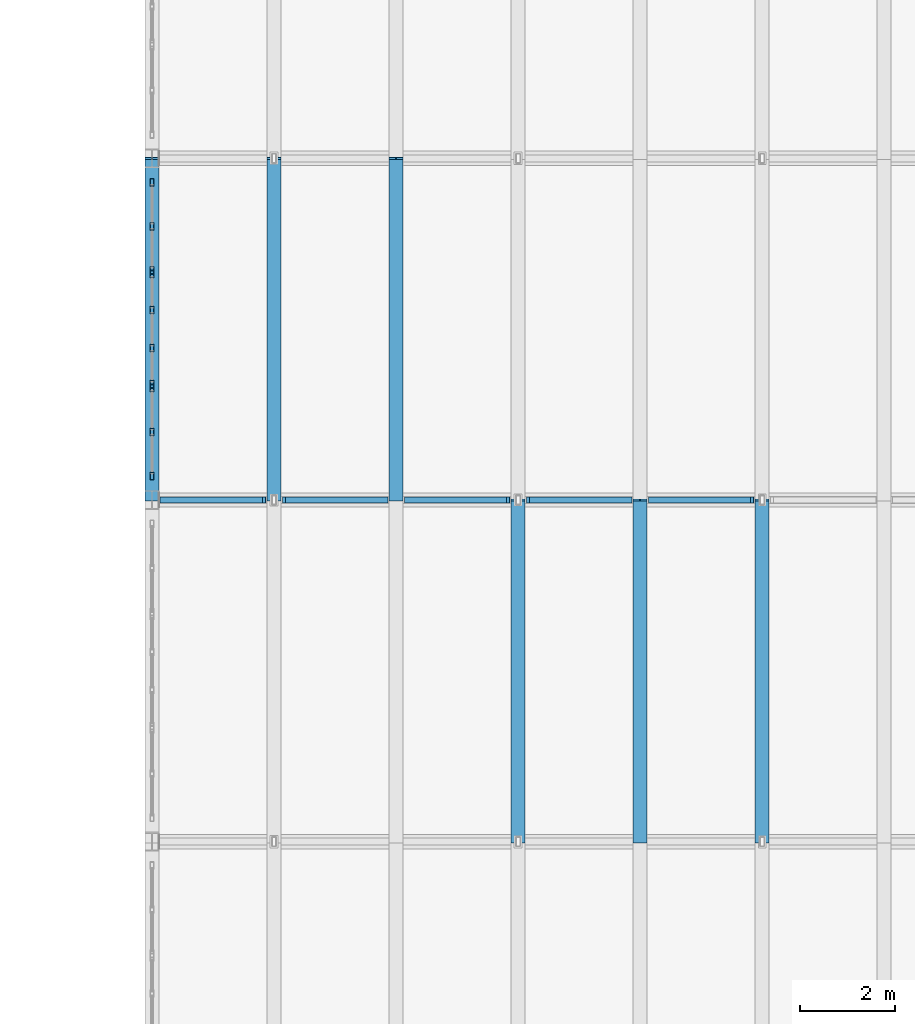
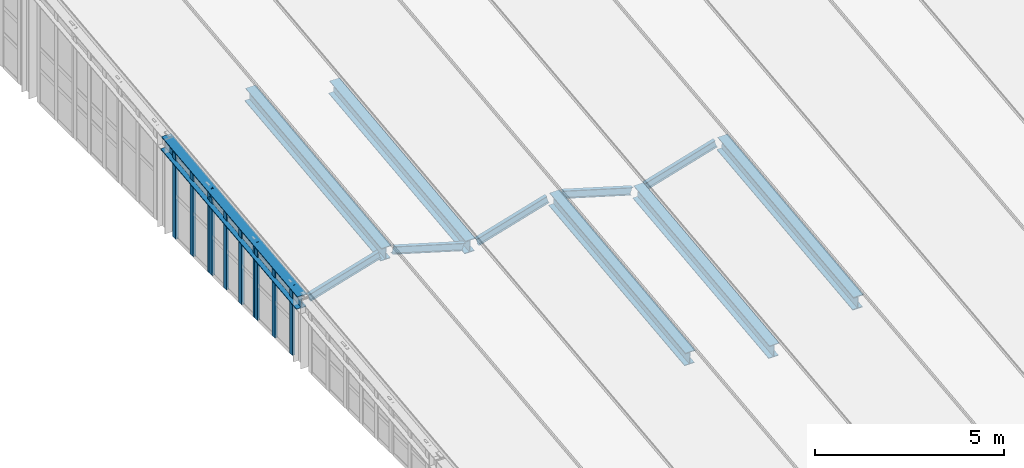
# One storey, part 9 of 48: 15 members, 6 beams, 3 elements without a shape of their own.
"""IFC4 building model written with IfcOpenShell, lengths in metres."""

import ifcopenshell
import ifcopenshell.guid

model = None  # the IFC model being written
_history = None  # IfcOwnerHistory: only IFC2X3 demands one
_inside = {}  # id of a spatial element -> (the spatial element, [elements in it])
_under = {}  # id of a project, library or spatial element -> (it, [spatial elements below it])
_declared = {}  # id of a project -> (the project, [libraries it declares])
_typed = {}  # id of a type object -> (the type object, [elements of that type])
_made_of = {}  # id of a material, layer set ... -> (it, [elements and type objects made of it])


def new_model(schema):
    """Start an empty IFC model of exactly this schema.

    Asked for "IFC4X3", IfcOpenShell would pick the latest addendum, in which some entities
    have other attributes; the version numbers below select the first issue.
    IFC2X3 requires an IfcOwnerHistory on every rooted entity: one is made here for all.
    """
    global model, _history
    if schema == "IFC4X3":
        model = ifcopenshell.file(schema_version=(4, 3, 0, 0))
    else:
        model = ifcopenshell.file(schema=schema)
    _inside.clear()
    _under.clear()
    _declared.clear()
    _typed.clear()
    _made_of.clear()
    _history = None
    if model.schema == "IFC2X3":
        org = make("IfcOrganization", Name="unknown")
        user = make(
            "IfcPersonAndOrganization",
            ThePerson=make("IfcPerson", FamilyName="unknown"),
            TheOrganization=org,
        )
        app = make(
            "IfcApplication",
            ApplicationDeveloper=org,
            Version="unknown",
            ApplicationFullName="unknown",
            ApplicationIdentifier="unknown",
        )
        _history = make(
            "IfcOwnerHistory",
            OwningUser=user,
            OwningApplication=app,
            ChangeAction="ADDED",
            CreationDate=0,
        )
    return model


def make(cls, **values):
    """One entity of the class cls with the attributes given. An attribute that is None is left unset."""
    return model.create_entity(
        cls, **{name: value for name, value in values.items() if value is not None}
    )


def rooted(cls, **values):
    """An entity with a GlobalId (a new one), such as an element, a storey or a relation."""
    return make(cls, GlobalId=ifcopenshell.guid.new(), OwnerHistory=_history, **values)


def si_unit(unit_type, name, prefix=None):
    """IfcSIUnit, for example si_unit("LENGTHUNIT", "METRE", prefix="MILLI")."""
    return make("IfcSIUnit", UnitType=unit_type, Prefix=prefix, Name=name)


def assignment(units):
    """IfcUnitAssignment: the units of a project."""
    return None if units is None else make("IfcUnitAssignment", Units=units)


def point(xyz):
    """IfcCartesianPoint."""
    return None if xyz is None else make("IfcCartesianPoint", Coordinates=xyz)


def direction(xyz):
    """IfcDirection."""
    return None if xyz is None else make("IfcDirection", DirectionRatios=xyz)


def frame(location, z_axis=None, x_axis=None):
    """IfcAxis2Placement3D, a coordinate frame: its origin and axes. An axis left out is left unset."""
    return make(
        "IfcAxis2Placement3D",
        Location=point(location),
        Axis=direction(z_axis),
        RefDirection=direction(x_axis),
    )


def frame_2d(location, x_axis=None):
    """IfcAxis2Placement2D, a coordinate frame in the plane: its origin and x axis."""
    return make(
        "IfcAxis2Placement2D", Location=point(location), RefDirection=direction(x_axis)
    )


def origin():
    """The frame at (0, 0, 0) with its axes left unset."""
    return frame((0.0, 0.0, 0.0))


def origin_2d():
    """The frame at (0, 0) in the plane with its x axis left unset."""
    return frame_2d((0.0, 0.0))


def place(relative_to, where):
    """IfcLocalPlacement: puts the frame where relative to a parent placement (None: the world)."""
    return make(
        "IfcLocalPlacement", PlacementRelTo=relative_to, RelativePlacement=where
    )


def context(
    kind, dimensions, precision=None, world=None, true_north=None, identifier=None
):
    """IfcGeometricRepresentationContext, for example the 3D "Model" context."""
    return make(
        "IfcGeometricRepresentationContext",
        ContextIdentifier=identifier,
        ContextType=kind,
        CoordinateSpaceDimension=dimensions,
        Precision=precision,
        WorldCoordinateSystem=world,
        TrueNorth=true_north,
    )


def subcontext(parent, identifier, kind, view, scale=None):
    """IfcGeometricRepresentationSubContext, for example "Body" below "Model"."""
    return make(
        "IfcGeometricRepresentationSubContext",
        ContextIdentifier=identifier,
        ContextType=kind,
        ParentContext=parent,
        TargetScale=scale,
        TargetView=view,
    )


def project(units=None, contexts=None):
    """IfcProject with its units and contexts."""
    return rooted(
        "IfcProject",
        Name="project",
        RepresentationContexts=contexts,
        UnitsInContext=assignment(units),
    )


def spatial(cls, under=None, at=None, **own):
    """A site, building, storey or space (cls), placed at a placement, below another one or the project."""
    s = rooted(cls, ObjectPlacement=at, **own)
    if under is not None:
        _under.setdefault(under.id(), (under, []))[1].append(s)
    return s


def profile(cls, at=None, kind="AREA", **sizes):
    """A parametric profile (cls). Its sizes go by their IFC names, for example OverallWidth=200.0."""
    return make(cls, ProfileType=kind, Position=at, **sizes)


def hollow_rectangle(**sizes):
    """IfcRectangleHollowProfileDef."""
    return profile("IfcRectangleHollowProfileDef", **sizes)


def i_section(**sizes):
    """IfcIShapeProfileDef."""
    return profile("IfcIShapeProfileDef", **sizes)


def extrude(swept, where, along, depth):
    """IfcExtrudedAreaSolid: the profile swept, set in the frame where, extruded along a direction by depth."""
    return make(
        "IfcExtrudedAreaSolid",
        SweptArea=swept,
        Position=where,
        ExtrudedDirection=direction(along),
        Depth=depth,
    )


def shape(context_of_items, identifier, shape_type, items):
    """IfcShapeRepresentation: the items that make up one representation, for example the "Body"."""
    return make(
        "IfcShapeRepresentation",
        ContextOfItems=context_of_items,
        RepresentationIdentifier=identifier,
        RepresentationType=shape_type,
        Items=items,
    )


def material(Name=None, Category=None):
    """IfcMaterial."""
    return make("IfcMaterial", Name=Name, Category=Category)


def layer(
    of_material, thickness, ventilated=None, Name=None, Category=None, Priority=None
):
    """IfcMaterialLayer: one layer of a wall or slab, of a material (None: an air gap)."""
    return make(
        "IfcMaterialLayer",
        Material=of_material,
        LayerThickness=thickness,
        IsVentilated=ventilated,
        Name=Name,
        Category=Category,
        Priority=Priority,
    )


def layer_set(layers, Name=None):
    """IfcMaterialLayerSet."""
    return make("IfcMaterialLayerSet", MaterialLayers=layers, LayerSetName=Name)


def material_profile(
    of_material, cross_section, Name=None, Category=None, Priority=None
):
    """IfcMaterialProfile: a cross section and its material."""
    return make(
        "IfcMaterialProfile",
        Name=Name,
        Material=of_material,
        Profile=cross_section,
        Priority=Priority,
        Category=Category,
    )


def profile_set(profiles, Name=None, composite=None):
    """IfcMaterialProfileSet."""
    return make(
        "IfcMaterialProfileSet",
        Name=Name,
        MaterialProfiles=profiles,
        CompositeProfile=composite,
    )


def made_of(thing, what):
    """Note that an element or type object is made of a material, layer set ...; save() writes the relation."""
    if what is not None:
        _made_of.setdefault(what.id(), (what, []))[1].append(thing)
    return thing


def type_object(cls, material=None, **own):
    """A type object (cls), such as IfcWallType, which elements share."""
    return made_of(rooted(cls, **own), material)


def element(
    cls,
    number,
    at=None,
    inside=None,
    cuts=None,
    type_object=None,
    material=None,
    context=None,
    identifier="Body",
    shape_type=None,
    held_by="IfcProductDefinitionShape",
    body=None,
    shapes=None,
    **own,
):
    """One element of the class cls, such as IfcWall. Its Tag is "e" and its number.

    at: its placement. inside: the storey or other place that contains it. cuts: it is an
    opening in that element (IfcRelVoidsElement). A single representation is given by context,
    identifier, shape_type and body (its items); several are given by shapes. held_by: the class
    of the entity that holds the representations. save() writes the other relations.
    """
    e = rooted(cls, Tag="e%d" % number, ObjectPlacement=at, **own)
    if body is not None:
        shapes = [shape(context, identifier, shape_type, body)]
    if shapes is not None:
        e.Representation = make(held_by, Representations=shapes)
    if inside is not None:
        _inside.setdefault(inside.id(), (inside, []))[1].append(e)
    if cuts is not None:
        rooted(
            "IfcRelVoidsElement", RelatingBuildingElement=cuts, RelatedOpeningElement=e
        )
    if type_object is not None:
        _typed.setdefault(type_object.id(), (type_object, []))[1].append(e)
    return made_of(e, material)


def aggregate(whole, parts):
    """IfcRelAggregates: a whole, such as a stair, and the parts it consists of."""
    return rooted("IfcRelAggregates", RelatingObject=whole, RelatedObjects=parts)


def save(model, path):
    """Write the relations noted so far, then the file.

    IfcRelAggregates (storeys below a building ...), IfcRelContainedInSpatialStructure (elements
    in a storey), IfcRelDefinesByType, IfcRelAssociatesMaterial and IfcRelDeclares: one each for
    every whole, place, type object, material and project.
    """
    for whole, parts in _under.values():
        aggregate(whole, parts)
    for where, things in _inside.values():
        rooted(
            "IfcRelContainedInSpatialStructure",
            RelatedElements=things,
            RelatingStructure=where,
        )
    for kind, things in _typed.values():
        rooted("IfcRelDefinesByType", RelatedObjects=things, RelatingType=kind)
    for what, things in _made_of.values():
        rooted("IfcRelAssociatesMaterial", RelatedObjects=things, RelatingMaterial=what)
    for by, libraries in _declared.values():
        rooted("IfcRelDeclares", RelatingContext=by, RelatedDefinitions=libraries)
    model.write(path)


model = new_model("IFC4")

# Units and contexts
model_context = context("Model", 3, precision=1e-05, world=origin(), true_north=direction((0.0, 1.0)))
body_context = subcontext(model_context, "Body", "Model", "MODEL_VIEW")
ifc_project = project(units=[si_unit("LENGTHUNIT", "METRE"), si_unit("AREAUNIT", "SQUARE_METRE"), si_unit("VOLUMEUNIT", "CUBIC_METRE"), si_unit("PLANEANGLEUNIT", "RADIAN"), si_unit("MASSUNIT", "GRAM", prefix="KILO"), si_unit("THERMODYNAMICTEMPERATUREUNIT", "KELVIN"), si_unit("POWERUNIT", "WATT")], contexts=[model_context])

# Site, building, storey
site_placement = place(None, origin())
site = spatial("IfcSite", under=ifc_project, at=site_placement, CompositionType="ELEMENT")
building_placement = place(site_placement, origin())
building = spatial("IfcBuilding", under=site, at=building_placement, Name="Kaldorven Railside Theatre", CompositionType="ELEMENT")
storey_placement = place(building_placement, frame((0.0, 0.0, 18.89990234375)))
storey = spatial("IfcBuildingStorey", under=building, at=storey_placement, Name="L04", CompositionType="ELEMENT", Elevation=18.89990234375)

# Beams
ifc_material_1 = material(Name="Steel S355", Category="steel")
ifc_material_profile_1 = material_profile(ifc_material_1, i_section(OverallWidth=0.300048828125, OverallDepth=0.449951171875, WebThickness=0.013916015625, FlangeThickness=0.02587890625, at=origin_2d()), Name="HEB 450")
ifc_profile_set_1 = profile_set([ifc_material_profile_1], Name="Steel S355")
beam_type = type_object("IfcBeamType", Name="BM-HEB450", PredefinedType="BEAM", material=ifc_profile_set_1)
for number, where, z_axis, x_axis, name in (
    (1, (87.199951171875, 62.39990234375, 2.00439453125), (0.0, 0.993576360175, 0.113163671295), (-1.0, 0.0, 0.0), "V1 Folded-Plate Valley Girder VB-009"),
    (2, (89.771484375, 62.39990234375, 2.66943359375), (0.0, 0.993576360175, 0.113163671295), (-1.0, 0.0, 0.0), "V1 Folded-Plate Ridge Girder RB-015"),
    (3, (92.343017578125, 62.39990234375, 2.00439453125), (0.0, 0.993576360175, 0.113163671295), (-1.0, 0.0, 0.0), "V1 Folded-Plate Valley Girder VB-021"),
):
    element("IfcBeam", number, at=place(storey_placement, frame(where, z_axis=z_axis, x_axis=x_axis)), inside=storey, type_object=beam_type, Name=name, PredefinedType="BEAM", context=body_context, shape_type="SweptSolid", body=[
        extrude(i_section(OverallWidth=0.300048828125, OverallDepth=0.449951171875, WebThickness=0.013916015625, FlangeThickness=0.02587890625, at=origin_2d()), origin(), (0.0, 0.0, 1.0), 7.246826171875),
    ])
for number, where, z_axis, x_axis, name in (
    (4, (94.914306640625, 55.199951171875, 1.849365234375), (0.0, 0.993575928723, 0.11316745938), (-1.0, 0.0, 0.0), "V1 Folded-Plate Ridge Girder RB-026"),
    (5, (97.485595703125, 55.199951171875, 1.184326171875), (0.0, 0.993575928723, 0.11316745938), (-1.0, 0.0, 0.0), "V1 Folded-Plate Valley Girder VB-032"),
    (6, (100.05712890625, 55.199951171875, 1.849365234375), (0.0, 0.993575928723, 0.11316745938), (-1.0, 0.0, 0.0), "V1 Folded-Plate Ridge Girder RB-038"),
):
    element("IfcBeam", number, at=place(storey_placement, frame(where, z_axis=z_axis, x_axis=x_axis)), inside=storey, type_object=beam_type, Name=name, PredefinedType="BEAM", context=body_context, shape_type="SweptSolid", body=[
        extrude(i_section(OverallWidth=0.300048828125, OverallDepth=0.449951171875, WebThickness=0.013916015625, FlangeThickness=0.02587890625, at=origin_2d()), origin(), (0.0, 0.0, 1.0), 7.24658203125),
    ])

# Curtain wall, members
ifc_material_2 = material(Name="Low-E laminated solar-control glass", Category="glass")
ifc_layer_1 = layer(ifc_material_2, 0.159912109375, Name="Low-E laminated solar-control glass")
ifc_layer_set_1 = layer_set([ifc_layer_1], Name="Low-E laminated solar-control glass")
curtain_wall_type_1 = type_object("IfcCurtainWallType", Name="CWT-32", PredefinedType="USERDEFINED", material=ifc_layer_set_1)
curtain_wall_1_placement = place(storey_placement, origin())
curtain_wall_1 = element("IfcCurtainWall", 7, at=curtain_wall_1_placement, inside=storey, type_object=curtain_wall_type_1, Name="Main Theatre West Eave Clerestory CWG-008", ObjectType="FLUTED GLAZING", PredefinedType="USERDEFINED")
ifc_material_3 = material(Name="Anodised bronze aluminium", Category="aluminium")
ifc_material_profile_2 = material_profile(ifc_material_3, hollow_rectangle(XDim=0.080078125, YDim=0.159912109375, WallThickness=0.00634765625, at=origin_2d()), Name="RHS 160x80x6.3")
ifc_profile_set_2 = profile_set([ifc_material_profile_2], Name="Anodised bronze aluminium")
member_type_1 = type_object("IfcMemberType", Name="CWM-160", PredefinedType="MULLION", material=ifc_profile_set_2)
member_1_placement = place(storey_placement, frame((87.199951171875, 62.905029296875, 0.02001953125), z_axis=(0.0, 0.0, 1.0), x_axis=(-1.0, 0.0, 0.0)))
member_1 = element("IfcMember", 8, at=member_1_placement, type_object=member_type_1, Name="CWG-008 mullion 1", PredefinedType="MULLION", context=body_context, shape_type="SweptSolid", body=[
    extrude(hollow_rectangle(XDim=0.080078125, YDim=0.159912109375, WallThickness=0.00634765625, at=origin_2d()), origin(), (0.0, 0.0, 1.0), 2.260009765625),
])
member_2_placement = place(storey_placement, frame((87.199951171875, 63.83251953125, 0.02001953125), z_axis=(0.0, 0.0, 1.0), x_axis=(-1.0, 0.0, 0.0)))
member_2 = element("IfcMember", 9, at=member_2_placement, type_object=member_type_1, Name="CWG-008 mullion 2", PredefinedType="MULLION", context=body_context, shape_type="SweptSolid", body=[
    extrude(hollow_rectangle(XDim=0.080078125, YDim=0.159912109375, WallThickness=0.00634765625, at=origin_2d()), origin(), (0.0, 0.0, 1.0), 2.260009765625),
])
member_3_placement = place(storey_placement, frame((87.199951171875, 64.760009765625, 0.02001953125), z_axis=(0.0, 0.0, 1.0), x_axis=(-1.0, 0.0, 0.0)))
member_3 = element("IfcMember", 10, at=member_3_placement, type_object=member_type_1, Name="CWG-008 mullion 3", PredefinedType="MULLION", context=body_context, shape_type="SweptSolid", body=[
    extrude(hollow_rectangle(XDim=0.080078125, YDim=0.159912109375, WallThickness=0.00634765625, at=origin_2d()), origin(), (0.0, 0.0, 1.0), 2.260009765625),
])
aggregate(curtain_wall_1, [member_1, member_2, member_3])

ifc_layer_2 = layer(ifc_material_2, 0.159912109375, Name="Low-E laminated solar-control glass")
ifc_layer_set_2 = layer_set([ifc_layer_2], Name="Low-E laminated solar-control glass")
curtain_wall_type_2 = type_object("IfcCurtainWallType", Name="CWT-33", PredefinedType="USERDEFINED", material=ifc_layer_set_2)
curtain_wall_2_placement = place(storey_placement, origin())
curtain_wall_2 = element("IfcCurtainWall", 11, at=curtain_wall_2_placement, inside=storey, type_object=curtain_wall_type_2, Name="Main Theatre West Eave Clerestory CWG-009", ObjectType="FLUTED GLAZING", PredefinedType="USERDEFINED")
member_4_placement = place(storey_placement, frame((87.199951171875, 64.840087890625, 0.02001953125), z_axis=(0.0, 0.0, 1.0), x_axis=(-1.0, 0.0, 0.0)))
member_4 = element("IfcMember", 12, at=member_4_placement, type_object=member_type_1, Name="CWG-009 mullion 1", PredefinedType="MULLION", context=body_context, shape_type="SweptSolid", body=[
    extrude(hollow_rectangle(XDim=0.080078125, YDim=0.159912109375, WallThickness=0.00634765625, at=origin_2d()), origin(), (0.0, 0.0, 1.0), 2.47998046875),
])
member_5_placement = place(storey_placement, frame((87.199951171875, 65.60009765625, 0.02001953125), z_axis=(0.0, 0.0, 1.0), x_axis=(-1.0, 0.0, 0.0)))
member_5 = element("IfcMember", 13, at=member_5_placement, type_object=member_type_1, Name="CWG-009 mullion 2", PredefinedType="MULLION", context=body_context, shape_type="SweptSolid", body=[
    extrude(hollow_rectangle(XDim=0.080078125, YDim=0.159912109375, WallThickness=0.00634765625, at=origin_2d()), origin(), (0.0, 0.0, 1.0), 2.47998046875),
])
member_6_placement = place(storey_placement, frame((87.199951171875, 66.39990234375, 0.02001953125), z_axis=(0.0, 0.0, 1.0), x_axis=(-1.0, 0.0, 0.0)))
member_6 = element("IfcMember", 14, at=member_6_placement, type_object=member_type_1, Name="CWG-009 mullion 3", PredefinedType="MULLION", context=body_context, shape_type="SweptSolid", body=[
    extrude(hollow_rectangle(XDim=0.080078125, YDim=0.159912109375, WallThickness=0.00634765625, at=origin_2d()), origin(), (0.0, 0.0, 1.0), 2.47998046875),
])
member_7_placement = place(storey_placement, frame((87.199951171875, 67.159912109375, 0.02001953125), z_axis=(0.0, 0.0, 1.0), x_axis=(-1.0, 0.0, 0.0)))
member_7 = element("IfcMember", 15, at=member_7_placement, type_object=member_type_1, Name="CWG-009 mullion 4", PredefinedType="MULLION", context=body_context, shape_type="SweptSolid", body=[
    extrude(hollow_rectangle(XDim=0.080078125, YDim=0.159912109375, WallThickness=0.00634765625, at=origin_2d()), origin(), (0.0, 0.0, 1.0), 2.47998046875),
])
aggregate(curtain_wall_2, [member_4, member_5, member_6, member_7])

ifc_layer_3 = layer(ifc_material_2, 0.159912109375, Name="Low-E laminated solar-control glass")
ifc_layer_set_3 = layer_set([ifc_layer_3], Name="Low-E laminated solar-control glass")
curtain_wall_type_3 = type_object("IfcCurtainWallType", Name="CWT-34", PredefinedType="USERDEFINED", material=ifc_layer_set_3)
curtain_wall_3_placement = place(storey_placement, origin())
curtain_wall_3 = element("IfcCurtainWall", 16, at=curtain_wall_3_placement, inside=storey, type_object=curtain_wall_type_3, Name="Main Theatre West Eave Clerestory CWG-010", ObjectType="FLUTED GLAZING", PredefinedType="USERDEFINED")
member_8_placement = place(storey_placement, frame((87.199951171875, 67.239990234375, 0.02001953125), z_axis=(0.0, 0.0, 1.0), x_axis=(-1.0, 0.0, 0.0)))
member_8 = element("IfcMember", 17, at=member_8_placement, type_object=member_type_1, Name="CWG-010 mullion 1", PredefinedType="MULLION", context=body_context, shape_type="SweptSolid", body=[
    extrude(hollow_rectangle(XDim=0.080078125, YDim=0.159912109375, WallThickness=0.00634765625, at=origin_2d()), origin(), (0.0, 0.0, 1.0), 2.760009765625),
])
member_9_placement = place(storey_placement, frame((87.199951171875, 68.16748046875, 0.02001953125), z_axis=(0.0, 0.0, 1.0), x_axis=(-1.0, 0.0, 0.0)))
member_9 = element("IfcMember", 18, at=member_9_placement, type_object=member_type_1, Name="CWG-010 mullion 2", PredefinedType="MULLION", context=body_context, shape_type="SweptSolid", body=[
    extrude(hollow_rectangle(XDim=0.080078125, YDim=0.159912109375, WallThickness=0.00634765625, at=origin_2d()), origin(), (0.0, 0.0, 1.0), 2.760009765625),
])
member_10_placement = place(storey_placement, frame((87.199951171875, 69.094970703125, 0.02001953125), z_axis=(0.0, 0.0, 1.0), x_axis=(-1.0, 0.0, 0.0)))
member_10 = element("IfcMember", 19, at=member_10_placement, type_object=member_type_1, Name="CWG-010 mullion 3", PredefinedType="MULLION", context=body_context, shape_type="SweptSolid", body=[
    extrude(hollow_rectangle(XDim=0.080078125, YDim=0.159912109375, WallThickness=0.00634765625, at=origin_2d()), origin(), (0.0, 0.0, 1.0), 2.760009765625),
])
aggregate(curtain_wall_3, [member_8, member_9, member_10])

# Members
ifc_material_profile_3 = material_profile(ifc_material_1, i_section(OverallWidth=0.1201171875, OverallDepth=0.239990234375, WebThickness=0.006103515625, FlangeThickness=0.009765625, at=origin_2d()), Name="IPE 240")
ifc_profile_set_3 = profile_set([ifc_material_profile_3], Name="Steel S355")
member_type_2 = type_object("IfcMemberType", Name="MEM-IPE240", PredefinedType="PURLIN", material=ifc_profile_set_3)
for number, where, z_axis, x_axis, name in (
    (20, (87.407958984375, 62.39990234375, 2.078857421875), (0.958620479351, 0.0, 0.284687155608), (0.0, 1.0, 0.0), "V1 Folded-Roof Transverse Purlin PRL-002"),
    (21, (89.9794921875, 62.39990234375, 2.718994140625), (0.958620479351, 0.0, -0.284687155608), (0.0, 1.0, 0.0), "V1 Folded-Roof Transverse Purlin PRL-004"),
    (22, (92.55078125, 62.39990234375, 2.078857421875), (0.958620479351, 0.0, 0.284687155608), (0.0, 1.0, 0.0), "V1 Folded-Roof Transverse Purlin PRL-006"),
    (23, (95.122314453125, 62.39990234375, 2.718994140625), (0.958620479351, 0.0, -0.284687155608), (0.0, 1.0, 0.0), "V1 Folded-Roof Transverse Purlin PRL-008"),
    (24, (97.693603515625, 62.39990234375, 2.078857421875), (0.958620479351, 0.0, 0.284687155608), (0.0, 1.0, 0.0), "V1 Folded-Roof Transverse Purlin PRL-010"),
):
    element("IfcMember", number, at=place(storey_placement, frame(where, z_axis=z_axis, x_axis=x_axis)), inside=storey, type_object=member_type_2, Name=name, PredefinedType="PURLIN", context=body_context, shape_type="SweptSolid", body=[
        extrude(i_section(OverallWidth=0.1201171875, OverallDepth=0.239990234375, WebThickness=0.006103515625, FlangeThickness=0.009765625, at=origin_2d()), origin(), (0.0, 0.0, 1.0), 2.24853515625),
    ])

save(model, "model.ifc")
